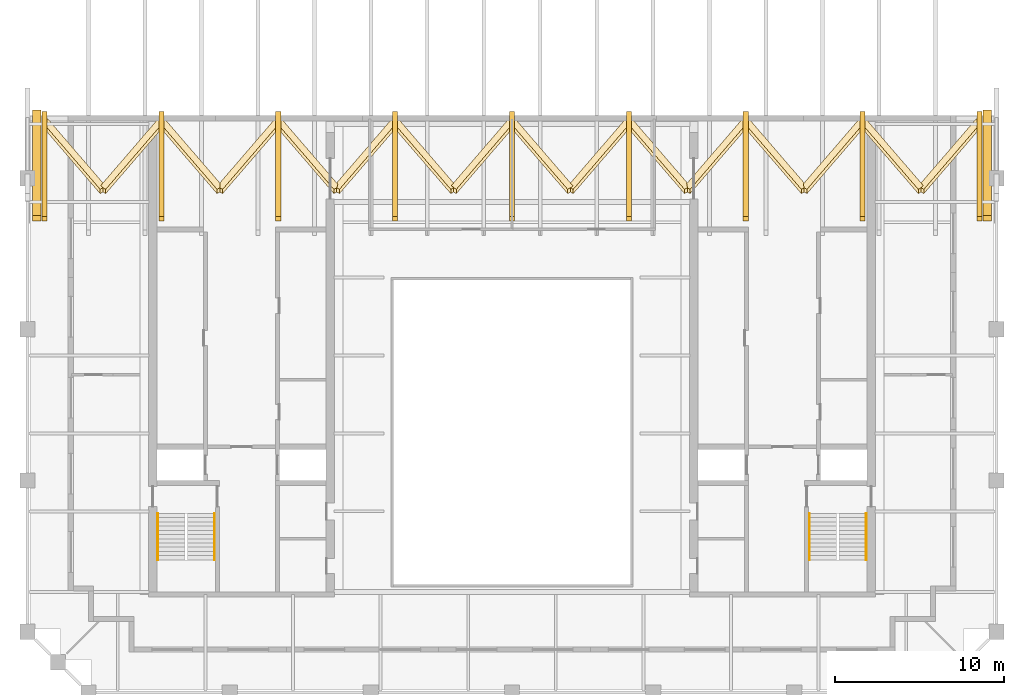
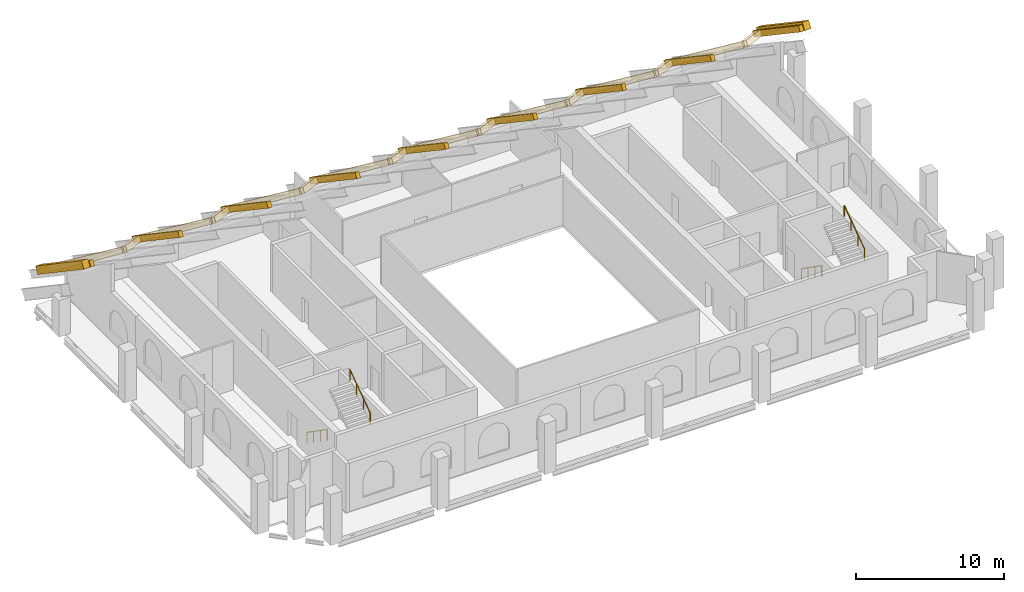
# One storey, part 6 of 6: 27 coverings, 4 railings.
"""IFC4 building model written with IfcOpenShell, lengths in metres."""

from ifc_helpers import new_model, si_unit, direction, frame, origin, origin_2d, place, context, subcontext, project, spatial, rectangle, circle, extrude, material, material_profile, profile_set, type_object, element, save


model = new_model("IFC4")

# Units and contexts
model_context = context("Model", 3, precision=1e-05, world=origin(), true_north=direction((0.0, 1.0)))
body_context = subcontext(model_context, "Body", "Model", "MODEL_VIEW")
ifc_project = project(units=[si_unit("LENGTHUNIT", "METRE"), si_unit("AREAUNIT", "SQUARE_METRE"), si_unit("VOLUMEUNIT", "CUBIC_METRE"), si_unit("PLANEANGLEUNIT", "RADIAN"), si_unit("MASSUNIT", "GRAM", prefix="KILO")], contexts=[model_context])

# Site, building, storey
site_placement = place(None, origin())
site = spatial("IfcSite", under=ifc_project, at=site_placement, CompositionType="ELEMENT")
building_placement = place(site_placement, origin())
building = spatial("IfcBuilding", under=site, at=building_placement, Name="Ogive Exchange Tower", CompositionType="ELEMENT")
storey_placement = place(building_placement, frame((0.0, 0.0, 390.0)))
storey = spatial("IfcBuildingStorey", under=building, at=storey_placement, Name="C06", CompositionType="ELEMENT", Elevation=390.0)

# Railings
ifc_material_1 = material(Name="Stainless steel", Category="steel")
railing_type = type_object("IfcRailingType", Name="Stair handrail 900", PredefinedType="HANDRAIL", material=ifc_material_1)
railing_1_placement = place(storey_placement, frame((-20.949951171875, 2.199951171875, 0.175048828125)))
element("IfcRailing", 1, at=railing_1_placement, inside=storey, type_object=railing_type, Name="C06 ST1 stair handrail 1", PredefinedType="HANDRAIL", context=body_context, shape_type="SweptSolid", body=[
    extrude(circle(Radius=0.02392578125, at=origin_2d()), frame((0.0, 0.0, 0.8759765625), z_axis=(0.0, -0.819225086817, 0.573472106672), x_axis=(1.0, 0.0, 0.0)), (0.0, 0.0, 1.0), 3.35693359375),
    extrude(circle(Radius=0.02099609375, at=origin_2d()), origin(), (0.0, 0.0, 1.0), 0.851806640625),
    extrude(circle(Radius=0.02099609375, at=origin_2d()), frame((0.0, -0.916748046875, 0.6416015625)), (0.0, 0.0, 1.0), 0.851806640625),
    extrude(circle(Radius=0.02099609375, at=origin_2d()), frame((0.0, -1.833251953125, 1.283447265625)), (0.0, 0.0, 1.0), 0.851806640625),
    extrude(circle(Radius=0.02099609375, at=origin_2d()), frame((0.0, -2.75, 1.925048828125)), (0.0, 0.0, 1.0), 0.851806640625),
])
railing_2_placement = place(storey_placement, frame((-17.60009765625, -0.550048828125, 2.27490234375)))
element("IfcRailing", 2, at=railing_2_placement, inside=storey, type_object=railing_type, Name="C06 ST1 stair handrail 2", PredefinedType="HANDRAIL", context=body_context, shape_type="SweptSolid", body=[
    extrude(circle(Radius=0.02392578125, at=origin_2d()), frame((0.0, 0.0, 0.8759765625), z_axis=(0.0, 0.819225086817, 0.573472106672), x_axis=(-1.0, 0.0, 0.0)), (0.0, 0.0, 1.0), 3.35693359375),
    extrude(circle(Radius=0.02099609375, at=origin_2d()), origin(), (0.0, 0.0, 1.0), 0.851806640625),
    extrude(circle(Radius=0.02099609375, at=origin_2d()), frame((0.0, 0.916748046875, 0.6416015625)), (0.0, 0.0, 1.0), 0.851806640625),
    extrude(circle(Radius=0.02099609375, at=origin_2d()), frame((0.0, 1.833251953125, 1.283447265625)), (0.0, 0.0, 1.0), 0.851806640625),
    extrude(circle(Radius=0.02099609375, at=origin_2d()), frame((0.0, 2.75, 1.925048828125)), (0.0, 0.0, 1.0), 0.851806640625),
])
railing_3_placement = place(storey_placement, frame((17.60009765625, 2.199951171875, 0.175048828125)))
element("IfcRailing", 3, at=railing_3_placement, inside=storey, type_object=railing_type, Name="C06 ST3 stair handrail 1", PredefinedType="HANDRAIL", context=body_context, shape_type="SweptSolid", body=[
    extrude(circle(Radius=0.02392578125, at=origin_2d()), frame((0.0, 0.0, 0.8759765625), z_axis=(0.0, -0.819225086817, 0.573472106672), x_axis=(1.0, 0.0, 0.0)), (0.0, 0.0, 1.0), 3.35693359375),
    extrude(circle(Radius=0.02099609375, at=origin_2d()), origin(), (0.0, 0.0, 1.0), 0.851806640625),
    extrude(circle(Radius=0.02099609375, at=origin_2d()), frame((0.0, -0.916748046875, 0.6416015625)), (0.0, 0.0, 1.0), 0.851806640625),
    extrude(circle(Radius=0.02099609375, at=origin_2d()), frame((0.0, -1.833251953125, 1.283447265625)), (0.0, 0.0, 1.0), 0.851806640625),
    extrude(circle(Radius=0.02099609375, at=origin_2d()), frame((0.0, -2.75, 1.925048828125)), (0.0, 0.0, 1.0), 0.851806640625),
])
railing_4_placement = place(storey_placement, frame((20.949951171875, -0.550048828125, 2.27490234375)))
element("IfcRailing", 4, at=railing_4_placement, inside=storey, type_object=railing_type, Name="C06 ST3 stair handrail 2", PredefinedType="HANDRAIL", context=body_context, shape_type="SweptSolid", body=[
    extrude(circle(Radius=0.02392578125, at=origin_2d()), frame((0.0, 0.0, 0.8759765625), z_axis=(0.0, 0.819225086817, 0.573472106672), x_axis=(-1.0, 0.0, 0.0)), (0.0, 0.0, 1.0), 3.35693359375),
    extrude(circle(Radius=0.02099609375, at=origin_2d()), origin(), (0.0, 0.0, 1.0), 0.851806640625),
    extrude(circle(Radius=0.02099609375, at=origin_2d()), frame((0.0, 0.916748046875, 0.6416015625)), (0.0, 0.0, 1.0), 0.851806640625),
    extrude(circle(Radius=0.02099609375, at=origin_2d()), frame((0.0, 1.833251953125, 1.283447265625)), (0.0, 0.0, 1.0), 0.851806640625),
    extrude(circle(Radius=0.02099609375, at=origin_2d()), frame((0.0, 2.75, 1.925048828125)), (0.0, 0.0, 1.0), 0.851806640625),
])

# Coverings
ifc_material_2 = material(Name="Limestone cladding on precast concrete", Category="masonry")
ifc_material_profile_1 = material_profile(ifc_material_2, rectangle(XDim=0.5, YDim=0.60009765625, at=origin_2d()), Name="CORNICE 500 x 600")
ifc_profile_set_1 = profile_set([ifc_material_profile_1], Name="Limestone cladding on precast concrete")
covering_type_1 = type_object("IfcCoveringType", Name="Stone cornice course 500 x 600", PredefinedType="CLADDING", material=ifc_profile_set_1)
for number, where, z_axis, x_axis, name in (
    (5, (-28.10009765625, 19.662109375, 6.84912109375), (0.0, 0.829027622808, -0.559207654295), (-1.0, 0.0, 0.0), "Stone cornice course"),
    (6, (28.10009765625, 19.662109375, 6.84912109375), (0.0, 0.829027622808, -0.559207654295), (-1.0, 0.0, 0.0), "Stone cornice course"),
):
    element("IfcCovering", number, at=place(storey_placement, frame(where, z_axis=z_axis, x_axis=x_axis)), inside=storey, type_object=covering_type_1, Name=name, PredefinedType="CLADDING", context=body_context, shape_type="SweptSolid", body=[
        extrude(rectangle(XDim=0.5, YDim=0.60009765625, at=origin_2d()), origin(), (0.0, 0.0, 1.0), 7.510986328125),
    ])
ifc_material_profile_2 = material_profile(ifc_material_2, rectangle(XDim=0.300048828125, YDim=0.449951171875, at=origin_2d()), Name="RIB 300 x 450")
ifc_profile_set_2 = profile_set([ifc_material_profile_2], Name="Limestone cladding on precast concrete")
covering_type_2 = type_object("IfcCoveringType", Name="Stone roof rib 300 x 450", PredefinedType="CLADDING", material=ifc_profile_set_2)
for number, where, z_axis, x_axis, name in (
    (7, (-27.64990234375, 25.846923828125, 2.5859375), (0.0, -0.828967346188, 0.559297004242), (1.0, 0.0, 0.0), "Stone roof rib"),
    (8, (-20.737060546875, 25.846923828125, 2.5859375), (0.0, -0.828967346188, 0.559297004242), (1.0, 0.0, 0.0), "Stone roof rib"),
    (9, (-13.824951171875, 25.846923828125, 2.5859375), (0.0, -0.828967346188, 0.559297004242), (1.0, 0.0, 0.0), "Stone roof rib"),
    (10, (-6.9130859375, 25.846923828125, 2.5859375), (0.0, -0.828967346188, 0.559297004242), (1.0, 0.0, 0.0), "Stone roof rib"),
    (11, (0.0, 25.846923828125, 2.5859375), (0.0, -0.828967346188, 0.559297004242), (1.0, 0.0, 0.0), "Stone roof rib"),
    (12, (6.9130859375, 25.846923828125, 2.5859375), (0.0, -0.828967346188, 0.559297004242), (1.0, 0.0, 0.0), "Stone roof rib"),
    (13, (13.824951171875, 25.846923828125, 2.5859375), (0.0, -0.828967346188, 0.559297004242), (1.0, 0.0, 0.0), "Stone roof rib"),
    (14, (20.737060546875, 25.846923828125, 2.5859375), (0.0, -0.828967346188, 0.559297004242), (1.0, 0.0, 0.0), "Stone roof rib"),
    (15, (27.64990234375, 25.846923828125, 2.5859375), (0.0, -0.828967346188, 0.559297004242), (1.0, 0.0, 0.0), "Stone roof rib"),
):
    element("IfcCovering", number, at=place(storey_placement, frame(where, z_axis=z_axis, x_axis=x_axis)), inside=storey, type_object=covering_type_2, Name=name, PredefinedType="CLADDING", context=body_context, shape_type="SweptSolid", body=[
        extrude(rectangle(XDim=0.300048828125, YDim=0.449951171875, at=origin_2d()), origin(), (0.0, 0.0, 1.0), 7.511474609375),
    ])
ifc_material_profile_3 = material_profile(ifc_material_2, rectangle(XDim=0.39990234375, YDim=0.449951171875, at=origin_2d()), Name="TRACERY 400 x 450")
ifc_profile_set_3 = profile_set([ifc_material_profile_3], Name="Limestone cladding on precast concrete")
covering_type_3 = type_object("IfcCoveringType", Name="Stone tracery arch 400 x 450", PredefinedType="CLADDING", material=ifc_profile_set_3)
covering_1_placement = place(storey_placement, frame((-27.64990234375, 25.346923828125, 2.924072265625), z_axis=(0.581158391494, -0.674685683322, 0.455032034824), x_axis=(0.813790464793, 0.481778320038, -0.325014968507)))
element("IfcCovering", 16, at=covering_1_placement, inside=storey, type_object=covering_type_3, Name="Stone tracery arch", PredefinedType="CLADDING", context=body_context, shape_type="SweptSolid", body=[
    extrude(rectangle(XDim=0.39990234375, YDim=0.449951171875, at=origin_2d()), origin(), (0.0, 0.0, 1.0), 5.946533203125),
])
covering_2_placement = place(storey_placement, frame((-20.737060546875, 25.346923828125, 2.924072265625), z_axis=(-0.581294317364, -0.674605191896, 0.454977748541), x_axis=(0.813693379942, -0.481935444404, 0.325025092672)))
element("IfcCovering", 17, at=covering_2_placement, inside=storey, type_object=covering_type_3, Name="Stone tracery arch", PredefinedType="CLADDING", context=body_context, shape_type="SweptSolid", body=[
    extrude(rectangle(XDim=0.39990234375, YDim=0.449951171875, at=origin_2d()), origin(), (0.0, 0.0, 1.0), 5.947021484375),
])
for number, where, z_axis, x_axis, name in (
    (18, (-20.737060546875, 25.346923828125, 2.924072265625), (0.58118558056, -0.674669585006, 0.455021177547), (0.813771049287, 0.481829268585, -0.324988054052), "Stone tracery arch"),
    (19, (-13.824951171875, 25.346923828125, 2.924072265625), (-0.58118558056, -0.674669585006, 0.455021177547), (0.813771049287, -0.481829268585, 0.324988054052), "Stone tracery arch"),
    (20, (-13.824951171875, 25.346923828125, 2.924072265625), (0.58118558056, -0.674669585006, 0.455021177547), (0.813771049287, 0.481829268585, -0.324988054052), "Stone tracery arch"),
    (21, (-6.9130859375, 25.346923828125, 2.924072265625), (-0.581158391494, -0.674685683322, 0.455032034824), (0.813790466335, -0.481797839015, 0.324986029274), "Stone tracery arch"),
    (22, (-6.9130859375, 25.346923828125, 2.924072265625), (0.58118558056, -0.674669585006, 0.455021177547), (0.813771048197, 0.481809749875, -0.325016993466), "Stone tracery arch"),
):
    element("IfcCovering", number, at=place(storey_placement, frame(where, z_axis=z_axis, x_axis=x_axis)), inside=storey, type_object=covering_type_3, Name=name, PredefinedType="CLADDING", context=body_context, shape_type="SweptSolid", body=[
        extrude(rectangle(XDim=0.39990234375, YDim=0.449951171875, at=origin_2d()), origin(), (0.0, 0.0, 1.0), 5.946533203125),
    ])
for number, where, z_axis, x_axis, name in (
    (23, (0.0, 25.346923828125, 2.924072265625), (-0.581294317364, -0.674605191896, 0.454977748541), (0.813693379942, -0.481935444404, 0.325025092672), "Stone tracery arch"),
    (24, (0.0, 25.346923828125, 2.924072265625), (0.581294317364, -0.674605191896, 0.454977748541), (0.813693379942, 0.481935444404, -0.325025092672), "Stone tracery arch"),
):
    element("IfcCovering", number, at=place(storey_placement, frame(where, z_axis=z_axis, x_axis=x_axis)), inside=storey, type_object=covering_type_3, Name=name, PredefinedType="CLADDING", context=body_context, shape_type="SweptSolid", body=[
        extrude(rectangle(XDim=0.39990234375, YDim=0.449951171875, at=origin_2d()), origin(), (0.0, 0.0, 1.0), 5.947021484375),
    ])
for number, where, z_axis, x_axis, name in (
    (25, (6.9130859375, 25.346923828125, 2.924072265625), (-0.58118558056, -0.674669585006, 0.455021177547), (0.813771048197, -0.481809749875, 0.325016993466), "Stone tracery arch"),
    (26, (6.9130859375, 25.346923828125, 2.924072265625), (0.581158391494, -0.674685683322, 0.455032034824), (0.813790466335, 0.481797839015, -0.324986029274), "Stone tracery arch"),
    (27, (13.824951171875, 25.346923828125, 2.924072265625), (-0.58118558056, -0.674669585006, 0.455021177547), (0.813771049287, -0.481829268585, 0.324988054052), "Stone tracery arch"),
    (28, (13.824951171875, 25.346923828125, 2.924072265625), (0.58118558056, -0.674669585006, 0.455021177547), (0.813771049287, 0.481829268585, -0.324988054052), "Stone tracery arch"),
    (29, (20.737060546875, 25.346923828125, 2.924072265625), (-0.58118558056, -0.674669585006, 0.455021177547), (0.813771049287, -0.481829268585, 0.324988054052), "Stone tracery arch"),
):
    element("IfcCovering", number, at=place(storey_placement, frame(where, z_axis=z_axis, x_axis=x_axis)), inside=storey, type_object=covering_type_3, Name=name, PredefinedType="CLADDING", context=body_context, shape_type="SweptSolid", body=[
        extrude(rectangle(XDim=0.39990234375, YDim=0.449951171875, at=origin_2d()), origin(), (0.0, 0.0, 1.0), 5.946533203125),
    ])
covering_3_placement = place(storey_placement, frame((20.737060546875, 25.346923828125, 2.924072265625), z_axis=(0.581294317364, -0.674605191896, 0.454977748541), x_axis=(0.813693379942, 0.481935444404, -0.325025092672)))
element("IfcCovering", 30, at=covering_3_placement, inside=storey, type_object=covering_type_3, Name="Stone tracery arch", PredefinedType="CLADDING", context=body_context, shape_type="SweptSolid", body=[
    extrude(rectangle(XDim=0.39990234375, YDim=0.449951171875, at=origin_2d()), origin(), (0.0, 0.0, 1.0), 5.947021484375),
])
covering_4_placement = place(storey_placement, frame((27.64990234375, 25.346923828125, 2.924072265625), z_axis=(-0.581158391494, -0.674685683322, 0.455032034824), x_axis=(0.813790464793, -0.481778320038, 0.325014968507)))
element("IfcCovering", 31, at=covering_4_placement, inside=storey, type_object=covering_type_3, Name="Stone tracery arch", PredefinedType="CLADDING", context=body_context, shape_type="SweptSolid", body=[
    extrude(rectangle(XDim=0.39990234375, YDim=0.449951171875, at=origin_2d()), origin(), (0.0, 0.0, 1.0), 5.946533203125),
])

save(model, "model.ifc")
